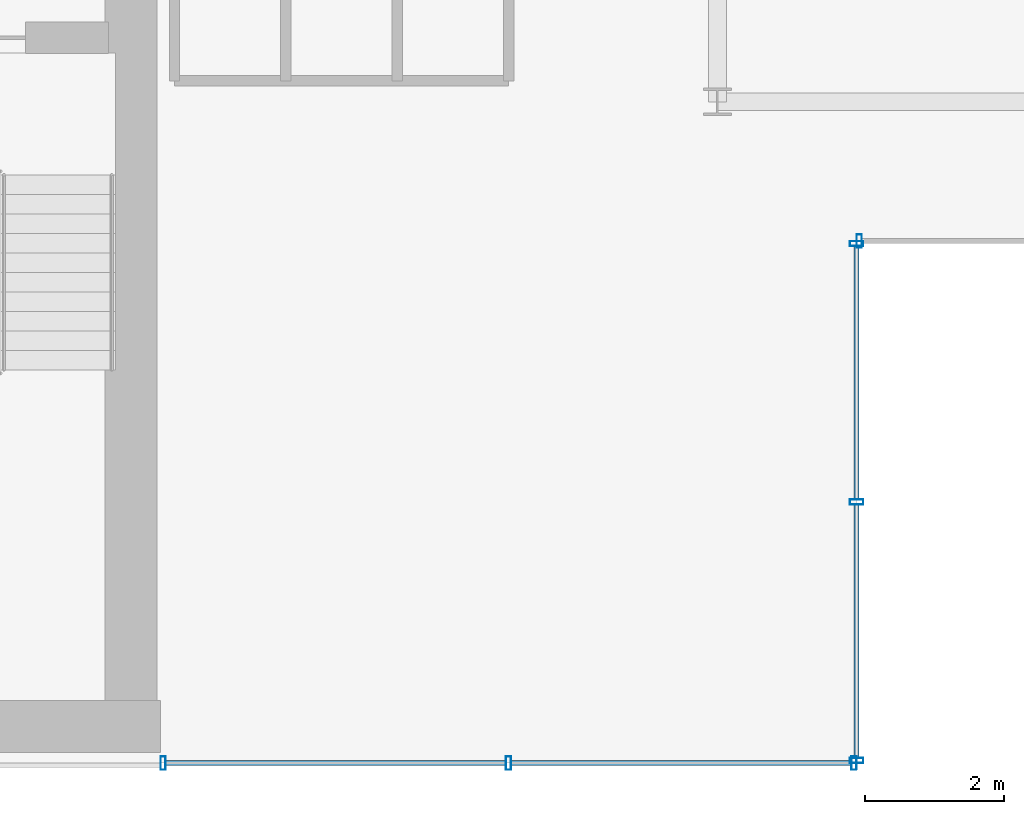
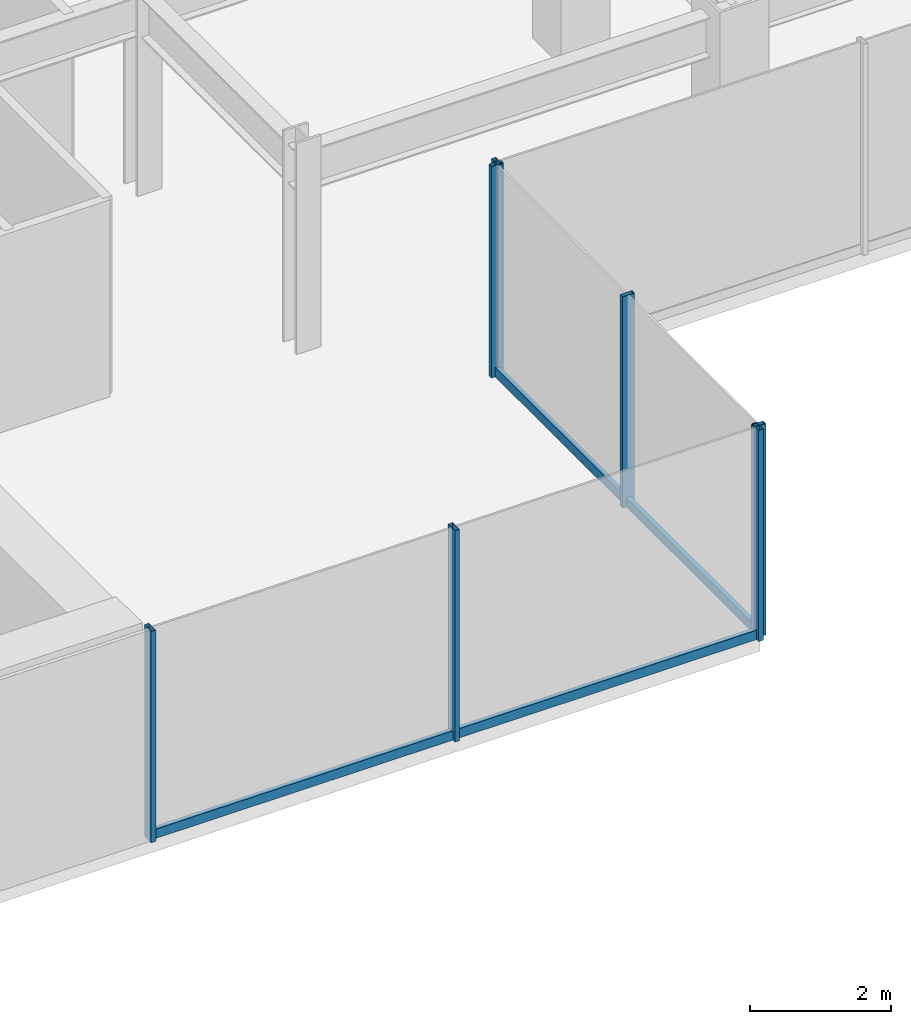
# One storey, part 8 of 26: 11 members, 3 elements without a shape of their own.
"""IFC4 building model written with IfcOpenShell, lengths in metres."""

import ifcopenshell
import ifcopenshell.guid

model = None  # the IFC model being written
_history = None  # IfcOwnerHistory: only IFC2X3 demands one
_inside = {}  # id of a spatial element -> (the spatial element, [elements in it])
_under = {}  # id of a project, library or spatial element -> (it, [spatial elements below it])
_declared = {}  # id of a project -> (the project, [libraries it declares])
_typed = {}  # id of a type object -> (the type object, [elements of that type])
_made_of = {}  # id of a material, layer set ... -> (it, [elements and type objects made of it])


def new_model(schema):
    """Start an empty IFC model of exactly this schema.

    Asked for "IFC4X3", IfcOpenShell would pick the latest addendum, in which some entities
    have other attributes; the version numbers below select the first issue.
    IFC2X3 requires an IfcOwnerHistory on every rooted entity: one is made here for all.
    """
    global model, _history
    if schema == "IFC4X3":
        model = ifcopenshell.file(schema_version=(4, 3, 0, 0))
    else:
        model = ifcopenshell.file(schema=schema)
    _inside.clear()
    _under.clear()
    _declared.clear()
    _typed.clear()
    _made_of.clear()
    _history = None
    if model.schema == "IFC2X3":
        org = make("IfcOrganization", Name="unknown")
        user = make(
            "IfcPersonAndOrganization",
            ThePerson=make("IfcPerson", FamilyName="unknown"),
            TheOrganization=org,
        )
        app = make(
            "IfcApplication",
            ApplicationDeveloper=org,
            Version="unknown",
            ApplicationFullName="unknown",
            ApplicationIdentifier="unknown",
        )
        _history = make(
            "IfcOwnerHistory",
            OwningUser=user,
            OwningApplication=app,
            ChangeAction="ADDED",
            CreationDate=0,
        )
    return model


def make(cls, **values):
    """One entity of the class cls with the attributes given. An attribute that is None is left unset."""
    return model.create_entity(
        cls, **{name: value for name, value in values.items() if value is not None}
    )


def rooted(cls, **values):
    """An entity with a GlobalId (a new one), such as an element, a storey or a relation."""
    return make(cls, GlobalId=ifcopenshell.guid.new(), OwnerHistory=_history, **values)


def si_unit(unit_type, name, prefix=None):
    """IfcSIUnit, for example si_unit("LENGTHUNIT", "METRE", prefix="MILLI")."""
    return make("IfcSIUnit", UnitType=unit_type, Prefix=prefix, Name=name)


def derived_unit(unit_type, elements):
    """IfcDerivedUnit: a product of units, each with its exponent."""
    return make(
        "IfcDerivedUnit",
        Elements=[
            make("IfcDerivedUnitElement", Unit=unit, Exponent=power)
            for unit, power in elements
        ],
        UnitType=unit_type,
    )


def assignment(units):
    """IfcUnitAssignment: the units of a project."""
    return None if units is None else make("IfcUnitAssignment", Units=units)


def point(xyz):
    """IfcCartesianPoint."""
    return None if xyz is None else make("IfcCartesianPoint", Coordinates=xyz)


def direction(xyz):
    """IfcDirection."""
    return None if xyz is None else make("IfcDirection", DirectionRatios=xyz)


def frame(location, z_axis=None, x_axis=None):
    """IfcAxis2Placement3D, a coordinate frame: its origin and axes. An axis left out is left unset."""
    return make(
        "IfcAxis2Placement3D",
        Location=point(location),
        Axis=direction(z_axis),
        RefDirection=direction(x_axis),
    )


def frame_2d(location, x_axis=None):
    """IfcAxis2Placement2D, a coordinate frame in the plane: its origin and x axis."""
    return make(
        "IfcAxis2Placement2D", Location=point(location), RefDirection=direction(x_axis)
    )


def origin():
    """The frame at (0, 0, 0) with its axes left unset."""
    return frame((0.0, 0.0, 0.0))


def origin_2d():
    """The frame at (0, 0) in the plane with its x axis left unset."""
    return frame_2d((0.0, 0.0))


def place(relative_to, where):
    """IfcLocalPlacement: puts the frame where relative to a parent placement (None: the world)."""
    return make(
        "IfcLocalPlacement", PlacementRelTo=relative_to, RelativePlacement=where
    )


def context(
    kind, dimensions, precision=None, world=None, true_north=None, identifier=None
):
    """IfcGeometricRepresentationContext, for example the 3D "Model" context."""
    return make(
        "IfcGeometricRepresentationContext",
        ContextIdentifier=identifier,
        ContextType=kind,
        CoordinateSpaceDimension=dimensions,
        Precision=precision,
        WorldCoordinateSystem=world,
        TrueNorth=true_north,
    )


def subcontext(parent, identifier, kind, view, scale=None):
    """IfcGeometricRepresentationSubContext, for example "Body" below "Model"."""
    return make(
        "IfcGeometricRepresentationSubContext",
        ContextIdentifier=identifier,
        ContextType=kind,
        ParentContext=parent,
        TargetScale=scale,
        TargetView=view,
    )


def project(units=None, contexts=None):
    """IfcProject with its units and contexts."""
    return rooted(
        "IfcProject",
        Name="project",
        RepresentationContexts=contexts,
        UnitsInContext=assignment(units),
    )


def spatial(cls, under=None, at=None, **own):
    """A site, building, storey or space (cls), placed at a placement, below another one or the project."""
    s = rooted(cls, ObjectPlacement=at, **own)
    if under is not None:
        _under.setdefault(under.id(), (under, []))[1].append(s)
    return s


def profile(cls, at=None, kind="AREA", **sizes):
    """A parametric profile (cls). Its sizes go by their IFC names, for example OverallWidth=200.0."""
    return make(cls, ProfileType=kind, Position=at, **sizes)


def hollow_rectangle(**sizes):
    """IfcRectangleHollowProfileDef."""
    return profile("IfcRectangleHollowProfileDef", **sizes)


def extrude(swept, where, along, depth):
    """IfcExtrudedAreaSolid: the profile swept, set in the frame where, extruded along a direction by depth."""
    return make(
        "IfcExtrudedAreaSolid",
        SweptArea=swept,
        Position=where,
        ExtrudedDirection=direction(along),
        Depth=depth,
    )


def shape(context_of_items, identifier, shape_type, items):
    """IfcShapeRepresentation: the items that make up one representation, for example the "Body"."""
    return make(
        "IfcShapeRepresentation",
        ContextOfItems=context_of_items,
        RepresentationIdentifier=identifier,
        RepresentationType=shape_type,
        Items=items,
    )


def source(mapping_origin, context_of_items, identifier, shape_type, items):
    """IfcRepresentationMap: a shape defined once, which mapped items show again and again."""
    return make(
        "IfcRepresentationMap",
        MappingOrigin=mapping_origin,
        MappedRepresentation=shape(context_of_items, identifier, shape_type, items),
    )


def transform(
    local_origin,
    x_axis=None,
    y_axis=None,
    z_axis=None,
    scale=None,
    scale2=None,
    scale3=None,
    uniform=True,
):
    """IfcCartesianTransformationOperator3D, or its non-uniform kind. x_axis, y_axis, z_axis: its Axis1, 2, 3."""
    if uniform:
        return make(
            "IfcCartesianTransformationOperator3D",
            Axis1=direction(x_axis),
            Axis2=direction(y_axis),
            LocalOrigin=point(local_origin),
            Scale=scale,
            Axis3=direction(z_axis),
        )
    return make(
        "IfcCartesianTransformationOperator3DnonUniform",
        Axis1=direction(x_axis),
        Axis2=direction(y_axis),
        LocalOrigin=point(local_origin),
        Scale=scale,
        Axis3=direction(z_axis),
        Scale2=scale2,
        Scale3=scale3,
    )


def mapped(mapping_source, mapping_target):
    """IfcMappedItem: shows the shape of a source again, moved by a transform."""
    return make(
        "IfcMappedItem", MappingSource=mapping_source, MappingTarget=mapping_target
    )


def material(Name=None, Category=None):
    """IfcMaterial."""
    return make("IfcMaterial", Name=Name, Category=Category)


def material_profile(
    of_material, cross_section, Name=None, Category=None, Priority=None
):
    """IfcMaterialProfile: a cross section and its material."""
    return make(
        "IfcMaterialProfile",
        Name=Name,
        Material=of_material,
        Profile=cross_section,
        Priority=Priority,
        Category=Category,
    )


def profile_set(profiles, Name=None, composite=None):
    """IfcMaterialProfileSet."""
    return make(
        "IfcMaterialProfileSet",
        Name=Name,
        MaterialProfiles=profiles,
        CompositeProfile=composite,
    )


def made_of(thing, what):
    """Note that an element or type object is made of a material, layer set ...; save() writes the relation."""
    if what is not None:
        _made_of.setdefault(what.id(), (what, []))[1].append(thing)
    return thing


def type_object(cls, material=None, **own):
    """A type object (cls), such as IfcWallType, which elements share."""
    return made_of(rooted(cls, **own), material)


def element(
    cls,
    number,
    at=None,
    inside=None,
    cuts=None,
    type_object=None,
    material=None,
    context=None,
    identifier="Body",
    shape_type=None,
    held_by="IfcProductDefinitionShape",
    body=None,
    shapes=None,
    **own,
):
    """One element of the class cls, such as IfcWall. Its Tag is "e" and its number.

    at: its placement. inside: the storey or other place that contains it. cuts: it is an
    opening in that element (IfcRelVoidsElement). A single representation is given by context,
    identifier, shape_type and body (its items); several are given by shapes. held_by: the class
    of the entity that holds the representations. save() writes the other relations.
    """
    e = rooted(cls, Tag="e%d" % number, ObjectPlacement=at, **own)
    if body is not None:
        shapes = [shape(context, identifier, shape_type, body)]
    if shapes is not None:
        e.Representation = make(held_by, Representations=shapes)
    if inside is not None:
        _inside.setdefault(inside.id(), (inside, []))[1].append(e)
    if cuts is not None:
        rooted(
            "IfcRelVoidsElement", RelatingBuildingElement=cuts, RelatedOpeningElement=e
        )
    if type_object is not None:
        _typed.setdefault(type_object.id(), (type_object, []))[1].append(e)
    return made_of(e, material)


def aggregate(whole, parts):
    """IfcRelAggregates: a whole, such as a stair, and the parts it consists of."""
    return rooted("IfcRelAggregates", RelatingObject=whole, RelatedObjects=parts)


def save(model, path):
    """Write the relations noted so far, then the file.

    IfcRelAggregates (storeys below a building ...), IfcRelContainedInSpatialStructure (elements
    in a storey), IfcRelDefinesByType, IfcRelAssociatesMaterial and IfcRelDeclares: one each for
    every whole, place, type object, material and project.
    """
    for whole, parts in _under.values():
        aggregate(whole, parts)
    for where, things in _inside.values():
        rooted(
            "IfcRelContainedInSpatialStructure",
            RelatedElements=things,
            RelatingStructure=where,
        )
    for kind, things in _typed.values():
        rooted("IfcRelDefinesByType", RelatedObjects=things, RelatingType=kind)
    for what, things in _made_of.values():
        rooted("IfcRelAssociatesMaterial", RelatedObjects=things, RelatingMaterial=what)
    for by, libraries in _declared.values():
        rooted("IfcRelDeclares", RelatingContext=by, RelatedDefinitions=libraries)
    model.write(path)


model = new_model("IFC4")

# Units and contexts
model_context = context("Model", 3, precision=1e-05, world=origin(), true_north=direction((0.0, 1.0)))
body_context = subcontext(model_context, "Body", "Model", "MODEL_VIEW")
ifc_project = project(units=[si_unit("LENGTHUNIT", "METRE"), si_unit("AREAUNIT", "SQUARE_METRE"), si_unit("VOLUMEUNIT", "CUBIC_METRE"), si_unit("PLANEANGLEUNIT", "RADIAN"), si_unit("MASSUNIT", "GRAM", prefix="KILO"), derived_unit("THERMALTRANSMITTANCEUNIT", [(si_unit("POWERUNIT", "WATT"), 1), (si_unit("LENGTHUNIT", "METRE"), -2), (si_unit("THERMODYNAMICTEMPERATUREUNIT", "KELVIN"), -1)])], contexts=[model_context])

# Site, building, storey
site_placement = place(None, origin())
site = spatial("IfcSite", under=ifc_project, at=site_placement, CompositionType="ELEMENT")
building_placement = place(site_placement, origin())
building = spatial("IfcBuilding", under=site, at=building_placement, Name="Skarnbrae Concourse Arena and Tower", CompositionType="ELEMENT")
storey_placement = place(building_placement, frame((0.0, 0.0, 125.14990234375)))
storey = spatial("IfcBuildingStorey", under=building, at=storey_placement, Name="L31", CompositionType="ELEMENT", Elevation=125.14990234375)

# Curtain wall, members
ifc_material = material(Name="Bronze anodised aluminium 6063-T6", Category="aluminium")
curtain_wall_type = type_object("IfcCurtainWallType", Name="CW-SYS-04-MIDZONE", PredefinedType="USERDEFINED", material=ifc_material)
curtain_wall_1_placement = place(storey_placement, origin())
curtain_wall_1 = element("IfcCurtainWall", 1, at=curtain_wall_1_placement, inside=storey, type_object=curtain_wall_type, Name="L31 Unitised curtain wall CW-L31-SE-SPINE", ObjectType="UNITISED CURTAIN WALL", PredefinedType="USERDEFINED")
ifc_material_profile_1 = material_profile(ifc_material, hollow_rectangle(XDim=0.074951171875, YDim=0.195068359375, WallThickness=0.00439453125, at=origin_2d()), Name="ALU-MULL-75X195")
ifc_profile_set_1 = profile_set([ifc_material_profile_1], Name="Bronze anodised aluminium 6063-T6")
member_type_1 = type_object("IfcMemberType", Name="CWM-CW-04", PredefinedType="MULLION", material=ifc_profile_set_1)
shared_shape_1 = source(origin(), body_context, "Body", "SweptSolid", [
    extrude(hollow_rectangle(XDim=0.074951171875, YDim=0.195068359375, WallThickness=0.00439453125, at=origin_2d()), origin(), (0.0, 0.0, 1.0), 3.650146484375),
])
member_1_placement = place(storey_placement, frame((34.03759765625, 0.0, 0.0), z_axis=(0.0, 0.0, 1.0), x_axis=(1.0, 0.0, 0.0)))
member_1 = element("IfcMember", 2, at=member_1_placement, type_object=member_type_1, Name="CW-L31-SE-SPINE Mullion 1", PredefinedType="MULLION", context=body_context, shape_type="MappedRepresentation", body=[
    mapped(shared_shape_1, transform((0.0, 0.0, 0.0))),
])
member_2_placement = place(storey_placement, frame((39.0, 0.0, 0.0), z_axis=(0.0, 0.0, 1.0), x_axis=(1.0, 0.0, 0.0)))
member_2 = element("IfcMember", 3, at=member_2_placement, type_object=member_type_1, Name="CW-L31-SE-SPINE Mullion 2", PredefinedType="MULLION", context=body_context, shape_type="MappedRepresentation", body=[
    mapped(shared_shape_1, transform((0.0, 0.0, 0.0))),
])
member_3_placement = place(storey_placement, frame((43.96240234375, 0.0, 0.0), z_axis=(0.0, 0.0, 1.0), x_axis=(1.0, 0.0, 0.0)))
member_3 = element("IfcMember", 4, at=member_3_placement, type_object=member_type_1, Name="CW-L31-SE-SPINE Mullion 3", PredefinedType="MULLION", context=body_context, shape_type="MappedRepresentation", body=[
    mapped(shared_shape_1, transform((0.0, 0.0, 0.0))),
])

curtain_wall_2_placement = place(storey_placement, origin())
curtain_wall_2 = element("IfcCurtainWall", 5, at=curtain_wall_2_placement, inside=storey, type_object=curtain_wall_type, Name="L31 Unitised curtain wall CW-L31-E02", ObjectType="UNITISED CURTAIN WALL", PredefinedType="USERDEFINED")
member_4_placement = place(storey_placement, frame((44.0, 0.03759765625, 0.0), z_axis=(0.0, 0.0, 1.0), x_axis=(0.0, 1.0, 0.0)))
member_4 = element("IfcMember", 6, at=member_4_placement, type_object=member_type_1, Name="CW-L31-E02 Mullion 1", PredefinedType="MULLION", context=body_context, shape_type="MappedRepresentation", body=[
    mapped(shared_shape_1, transform((0.0, 0.0, 0.0))),
])
member_5_placement = place(storey_placement, frame((44.0, 3.75, 0.0), z_axis=(0.0, 0.0, 1.0), x_axis=(0.0, 1.0, 0.0)))
member_5 = element("IfcMember", 7, at=member_5_placement, type_object=member_type_1, Name="CW-L31-E02 Mullion 2", PredefinedType="MULLION", context=body_context, shape_type="MappedRepresentation", body=[
    mapped(shared_shape_1, transform((0.0, 0.0, 0.0))),
])
member_6_placement = place(storey_placement, frame((44.0, 7.46240234375, 0.0), z_axis=(0.0, 0.0, 1.0), x_axis=(0.0, 1.0, 0.0)))
member_6 = element("IfcMember", 8, at=member_6_placement, type_object=member_type_1, Name="CW-L31-E02 Mullion 3", PredefinedType="MULLION", context=body_context, shape_type="MappedRepresentation", body=[
    mapped(shared_shape_1, transform((0.0, 0.0, 0.0))),
])

# Curtain wall, member
curtain_wall_3_placement = place(storey_placement, origin())
curtain_wall_3 = element("IfcCurtainWall", 9, at=curtain_wall_3_placement, inside=storey, type_object=curtain_wall_type, Name="L31 Unitised curtain wall CW-L31-E03", ObjectType="UNITISED CURTAIN WALL", PredefinedType="USERDEFINED")
member_7_placement = place(storey_placement, frame((44.03759765625, 7.5, 0.0), z_axis=(0.0, 0.0, 1.0), x_axis=(1.0, 0.0, 0.0)))
member_7 = element("IfcMember", 10, at=member_7_placement, type_object=member_type_1, Name="CW-L31-E03 Mullion 1", PredefinedType="MULLION", context=body_context, shape_type="MappedRepresentation", body=[
    mapped(shared_shape_1, transform((0.0, 0.0, 0.0))),
])
aggregate(curtain_wall_3, [member_7])

# Member
ifc_material_profile_2 = material_profile(ifc_material, hollow_rectangle(XDim=0.074951171875, YDim=0.159912109375, WallThickness=0.00439453125, at=origin_2d()), Name="ALU-TRAN-75X160")
ifc_profile_set_2 = profile_set([ifc_material_profile_2], Name="Bronze anodised aluminium 6063-T6")
member_type_2 = type_object("IfcMemberType", Name="CWT-CW-04", PredefinedType="USERDEFINED", material=ifc_profile_set_2)
shared_shape_2 = source(origin(), body_context, "Body", "SweptSolid", [
    extrude(hollow_rectangle(XDim=0.074951171875, YDim=0.159912109375, WallThickness=0.00439453125, at=origin_2d()), origin(), (0.0, 0.0, 1.0), 4.887451171875),
])
member_8_placement = place(storey_placement, frame((34.074951171875, 0.0, 0.080078125), z_axis=(1.0, 0.0, 0.0), x_axis=(0.0, 1.0, 0.0)))
member_8 = element("IfcMember", 11, at=member_8_placement, type_object=member_type_2, Name="CW-L31-SE-SPINE Transom 1", ObjectType="TRANSOM", PredefinedType="USERDEFINED", context=body_context, shape_type="MappedRepresentation", body=[
    mapped(shared_shape_2, transform((0.0, 0.0, 0.0))),
])

member_9_placement = place(storey_placement, frame((39.03759765625, 0.0, 0.080078125), z_axis=(1.0, 0.0, 0.0), x_axis=(0.0, 1.0, 0.0)))
member_9 = element("IfcMember", 12, at=member_9_placement, type_object=member_type_2, Name="CW-L31-SE-SPINE Transom 2", ObjectType="TRANSOM", PredefinedType="USERDEFINED", context=body_context, shape_type="MappedRepresentation", body=[
    mapped(shared_shape_2, transform((0.0, 0.0, 0.0))),
])

aggregate(curtain_wall_1, [member_1, member_2, member_3, member_8, member_9])

shared_shape_3 = source(origin(), body_context, "Body", "SweptSolid", [
    extrude(hollow_rectangle(XDim=0.074951171875, YDim=0.159912109375, WallThickness=0.00439453125, at=origin_2d()), origin(), (0.0, 0.0, 1.0), 3.637451171875),
])
member_10_placement = place(storey_placement, frame((44.0, 0.074951171875, 0.080078125), z_axis=(0.0, 1.0, 0.0), x_axis=(-1.0, 0.0, 0.0)))
member_10 = element("IfcMember", 13, at=member_10_placement, type_object=member_type_2, Name="CW-L31-E02 Transom 1", ObjectType="TRANSOM", PredefinedType="USERDEFINED", context=body_context, shape_type="MappedRepresentation", body=[
    mapped(shared_shape_3, transform((0.0, 0.0, 0.0))),
])

member_11_placement = place(storey_placement, frame((44.0, 3.78759765625, 0.080078125), z_axis=(0.0, 1.0, 0.0), x_axis=(-1.0, 0.0, 0.0)))
member_11 = element("IfcMember", 14, at=member_11_placement, type_object=member_type_2, Name="CW-L31-E02 Transom 2", ObjectType="TRANSOM", PredefinedType="USERDEFINED", context=body_context, shape_type="MappedRepresentation", body=[
    mapped(shared_shape_3, transform((0.0, 0.0, 0.0))),
])

aggregate(curtain_wall_2, [member_4, member_5, member_6, member_10, member_11])

save(model, "model.ifc")
